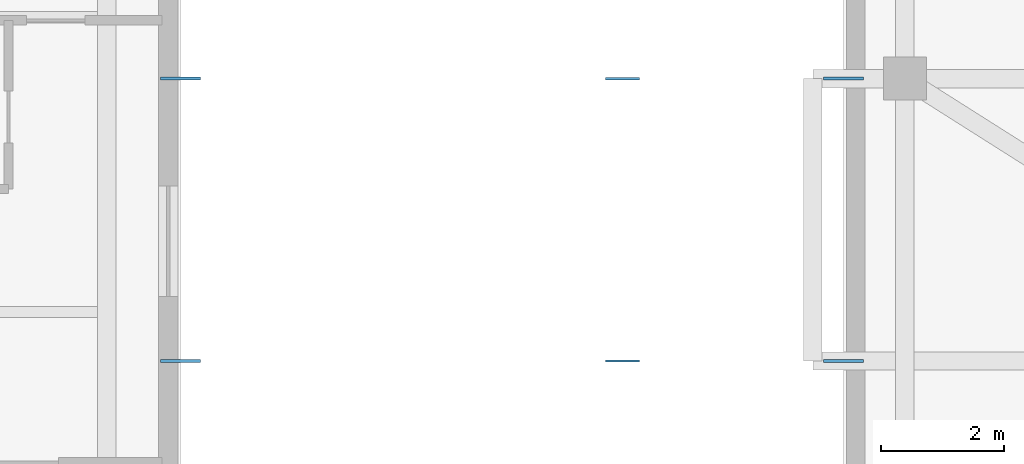
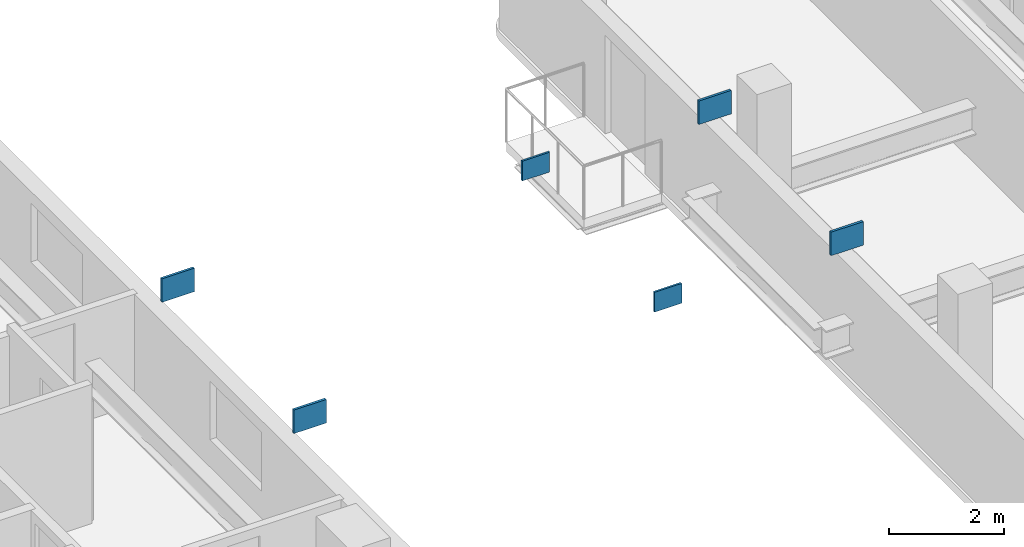
# One storey, part 3 of 11: 6 plates.
"""IFC4 building model written with IfcOpenShell, lengths in metres."""

from ifc_helpers import new_model, si_unit, direction, frame, origin, origin_2d, place, context, subcontext, project, spatial, rectangle, extrude, material, layer, layer_set, type_object, element, save


model = new_model("IFC4")

# Units and contexts
model_context = context("Model", 3, precision=1e-05, world=origin(), true_north=direction((0.0, 1.0)))
body_context = subcontext(model_context, "Body", "Model", "MODEL_VIEW")
ifc_project = project(units=[si_unit("LENGTHUNIT", "METRE"), si_unit("AREAUNIT", "SQUARE_METRE"), si_unit("VOLUMEUNIT", "CUBIC_METRE"), si_unit("PLANEANGLEUNIT", "RADIAN"), si_unit("MASSUNIT", "GRAM", prefix="KILO")], contexts=[model_context])

# Site, building, storey
site_placement = place(None, origin())
site = spatial("IfcSite", under=ifc_project, at=site_placement, CompositionType="ELEMENT")
building_placement = place(site_placement, origin())
building = spatial("IfcBuilding", under=site, at=building_placement, Name="Kuzgunbayir Cultural Tower", CompositionType="ELEMENT")
storey_placement = place(building_placement, frame((0.0, 0.0, 99.39990234375)))
storey = spatial("IfcBuildingStorey", under=building, at=storey_placement, Name="L28", CompositionType="ELEMENT", Elevation=99.39990234375)

# Plates
ifc_material = material(Name="Steel S460M", Category="steel")
ifc_layer_1 = layer(ifc_material, 0.0400390625)
ifc_layer_set_1 = layer_set([ifc_layer_1], Name="Steel S460M")
plate_type_1 = type_object("IfcPlateType", Name="PLT-CAP-END-40", PredefinedType="USERDEFINED", material=ifc_layer_set_1)
for number, where, z_axis, x_axis, name in (
    (1, (54.0, 31.199951171875, 2.750244140625), (0.0, 0.0, 1.0), (1.0, 0.0, 0.0), "L28 Hollow End Cap Plate SBN-S2 End"),
    (2, (54.0, 35.800048828125, 2.750244140625), (0.0, 0.0, 1.0), (1.0, 0.0, 0.0), "L28 Hollow End Cap Plate SBN-N2 End"),
):
    element("IfcPlate", number, at=place(storey_placement, frame(where, z_axis=z_axis, x_axis=x_axis)), inside=storey, type_object=plate_type_1, Name=name, ObjectType="END_CAP_PLATE", PredefinedType="USERDEFINED", context=body_context, shape_type="SweptSolid", body=[
        extrude(rectangle(XDim=0.550048828125, YDim=0.0400390625, at=origin_2d()), origin(), (0.0, 0.0, 1.0), 0.419921875),
    ])
ifc_layer_2 = layer(ifc_material, 0.050048828125)
ifc_layer_set_2 = layer_set([ifc_layer_2], Name="Steel S460M")
plate_type_2 = type_object("IfcPlateType", Name="PLT-NODE-GUSSET-50", PredefinedType="USERDEFINED", material=ifc_layer_set_2)
for number, where, z_axis, x_axis, name in (
    (3, (46.800048828125, 31.199951171875, 2.710205078125), (0.0, 0.0, 1.0), (1.0, 0.0, 0.0), "L28 Truss Gusset Plate SBP-SW Start"),
    (4, (57.60009765625, 31.199951171875, 2.710205078125), (0.0, 0.0, 1.0), (1.0, 0.0, 0.0), "L28 Truss Gusset Plate SBP-SE Start"),
    (5, (46.800048828125, 35.800048828125, 2.710205078125), (0.0, 0.0, 1.0), (1.0, 0.0, 0.0), "L28 Truss Gusset Plate SBP-NW Start"),
    (6, (57.60009765625, 35.800048828125, 2.710205078125), (0.0, 0.0, 1.0), (1.0, 0.0, 0.0), "L28 Truss Gusset Plate SBP-NE Start"),
):
    element("IfcPlate", number, at=place(storey_placement, frame(where, z_axis=z_axis, x_axis=x_axis)), inside=storey, type_object=plate_type_2, Name=name, ObjectType="GUSSET_PLATE", PredefinedType="USERDEFINED", context=body_context, shape_type="SweptSolid", body=[
        extrude(rectangle(XDim=0.64990234375, YDim=0.050048828125, at=origin_2d()), origin(), (0.0, 0.0, 1.0), 0.5),
    ])

save(model, "model.ifc")
